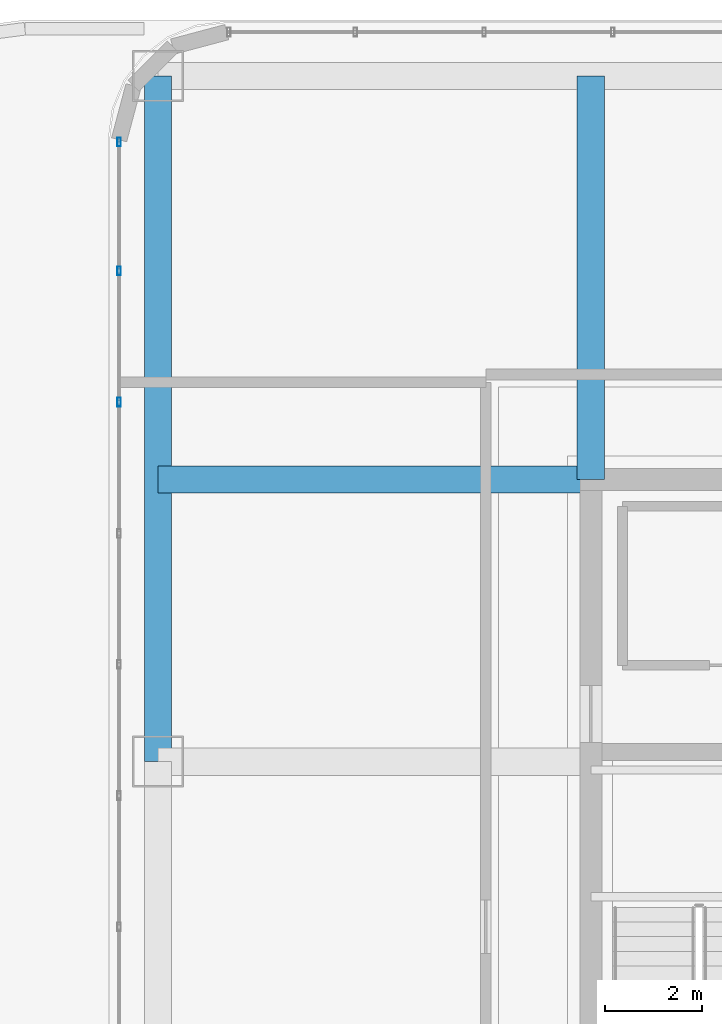
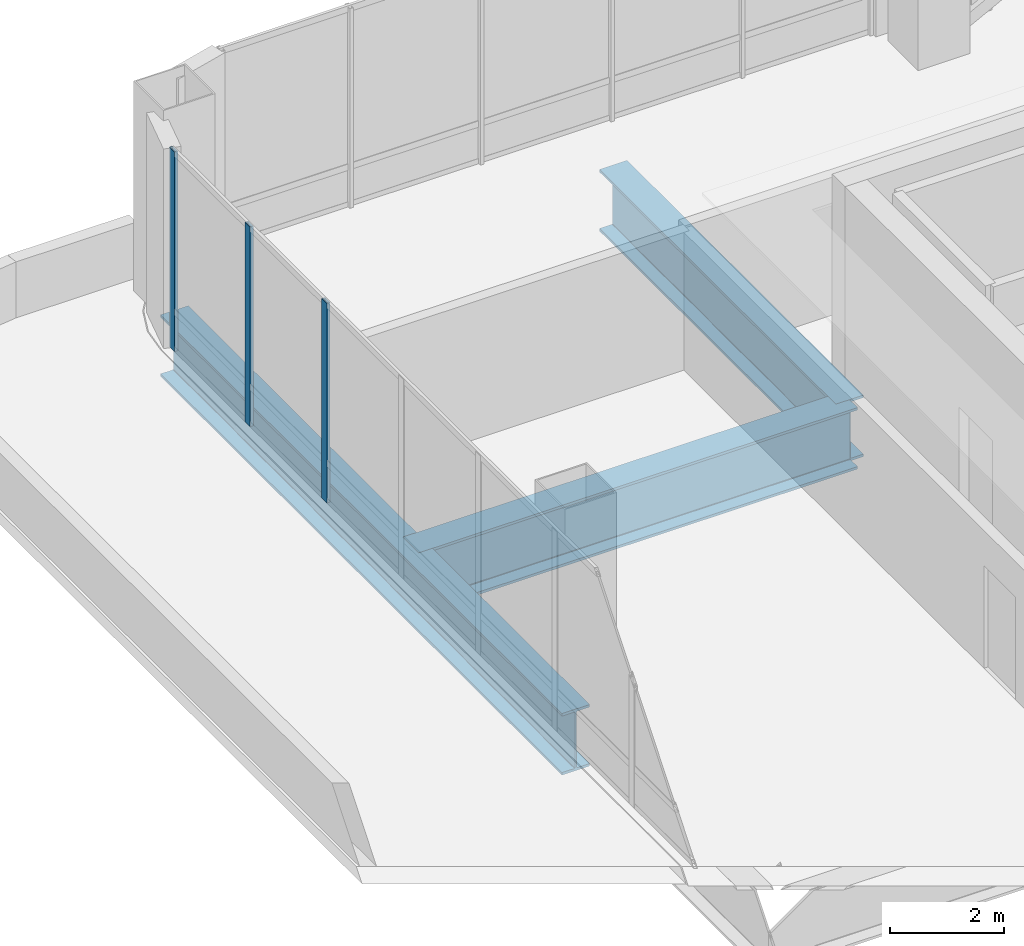
# One storey, part 19 of 33: 3 beams, 3 members, 1 element without a shape of its own.
"""IFC4 building model written with IfcOpenShell, lengths in metres."""

from ifc_helpers import new_model, si_unit, direction, frame, origin, origin_2d, place, context, subcontext, project, spatial, hollow_rectangle, i_section, extrude, material, material_profile, profile_set, type_object, element, aggregate, save


model = new_model("IFC4")

# Units and contexts
model_context = context("Model", 3, precision=1e-05, world=origin(), true_north=direction((0.0, 1.0)))
body_context = subcontext(model_context, "Body", "Model", "MODEL_VIEW")
ifc_project = project(units=[si_unit("LENGTHUNIT", "METRE"), si_unit("AREAUNIT", "SQUARE_METRE"), si_unit("VOLUMEUNIT", "CUBIC_METRE"), si_unit("PLANEANGLEUNIT", "RADIAN"), si_unit("MASSUNIT", "GRAM", prefix="KILO")], contexts=[model_context])

# Site, building, storey
site_placement = place(None, origin())
site = spatial("IfcSite", under=ifc_project, at=site_placement, CompositionType="ELEMENT")
building_placement = place(site_placement, origin())
building = spatial("IfcBuilding", under=site, at=building_placement, Name="Punatoya Terracotta Tower", CompositionType="ELEMENT")
storey_placement = place(building_placement, frame((0.0, 0.0, 343.800048828125)))
storey = spatial("IfcBuildingStorey", under=building, at=storey_placement, Name="L81", CompositionType="ELEMENT", Elevation=343.800048828125)

# Beams
ifc_material_1 = material(Name="Steel S460", Category="steel")
ifc_material_profile_1 = material_profile(ifc_material_1, i_section(OverallWidth=0.56005859375, OverallDepth=1.320068359375, WebThickness=0.035888671875, FlangeThickness=0.054931640625, FilletRadius=0.01806640625, at=origin_2d()))
ifc_profile_set_1 = profile_set([ifc_material_profile_1], Name="Steel S460")
beam_type = type_object("IfcBeamType", Name="BM-TG-BLK", PredefinedType="BEAM", material=ifc_profile_set_1)
beam_1_placement = place(storey_placement, frame((-19.10009765625, 3.39990234375, -0.93994140625), z_axis=(0.0, 1.0, 0.0), x_axis=(-1.0, 0.0, 0.0)))
element("IfcBeam", 1, at=beam_1_placement, inside=storey, type_object=beam_type, Name="BM-L81-RG-W3", PredefinedType="BEAM", context=body_context, shape_type="SweptSolid", body=[
    extrude(i_section(OverallWidth=0.56005859375, OverallDepth=1.320068359375, WebThickness=0.035888671875, FlangeThickness=0.054931640625, FilletRadius=0.01806640625, at=origin_2d()), origin(), (0.0, 0.0, 1.0), 14.10009765625),
])
beam_2_placement = place(storey_placement, frame((-19.10009765625, 9.199951171875, -0.93994140625), z_axis=(1.0, 0.0, 0.0), x_axis=(0.0, 1.0, 0.0)))
element("IfcBeam", 2, at=beam_2_placement, inside=storey, type_object=beam_type, Name="BM-L81-PR-WN", PredefinedType="BEAM", context=body_context, shape_type="SweptSolid", body=[
    extrude(i_section(OverallWidth=0.56005859375, OverallDepth=1.320068359375, WebThickness=0.035888671875, FlangeThickness=0.054931640625, FilletRadius=0.01806640625, at=origin_2d()), origin(), (0.0, 0.0, 1.0), 8.900146484375),
])
beam_3_placement = place(storey_placement, frame((-10.199951171875, 9.199951171875, -0.93994140625), z_axis=(0.0, 1.0, 0.0), x_axis=(-1.0, 0.0, 0.0)))
element("IfcBeam", 3, at=beam_3_placement, inside=storey, type_object=beam_type, Name="BM-L81-PR-N1", PredefinedType="BEAM", context=body_context, shape_type="SweptSolid", body=[
    extrude(i_section(OverallWidth=0.56005859375, OverallDepth=1.320068359375, WebThickness=0.035888671875, FlangeThickness=0.054931640625, FilletRadius=0.01806640625, at=origin_2d()), origin(), (0.0, 0.0, 1.0), 8.300048828125),
])

# Curtain wall, members
ifc_material_2 = material(Name="Aluminium 6063-T6 + Double Low-E Glass", Category="aluminium")
curtain_wall_type = type_object("IfcCurtainWallType", Name="CW-CRN", PredefinedType="NOTDEFINED", material=ifc_material_2)
curtain_wall_placement = place(storey_placement, origin())
curtain_wall = element("IfcCurtainWall", 4, at=curtain_wall_placement, inside=storey, type_object=curtain_wall_type, Name="L81 Curtain Wall CW-L81-W13-1", PredefinedType="NOTDEFINED")
ifc_material_3 = material(Name="Aluminium 6063-T6", Category="aluminium")
ifc_material_profile_2 = material_profile(ifc_material_3, hollow_rectangle(XDim=0.070068359375, YDim=0.179931640625, WallThickness=0.00390625, at=origin_2d()))
ifc_profile_set_2 = profile_set([ifc_material_profile_2], Name="Aluminium 6063-T6")
member_type = type_object("IfcMemberType", Name="CW-MUL-M3", PredefinedType="MULLION", material=ifc_profile_set_2)
member_1_placement = place(storey_placement, frame((-19.89990234375, 16.141845703125, 0.0), z_axis=(0.0, 0.0, 1.0), x_axis=(1.0, 0.0, 0.0)))
member_1 = element("IfcMember", 5, at=member_1_placement, type_object=member_type, Name="CW-L81-W13-1 Mullion 00", PredefinedType="MULLION", context=body_context, shape_type="SweptSolid", body=[
    extrude(hollow_rectangle(XDim=0.070068359375, YDim=0.179931640625, WallThickness=0.00390625, at=origin_2d()), origin(), (0.0, 0.0, 1.0), 4.280029296875),
])
member_2_placement = place(storey_placement, frame((-19.89990234375, 13.489013671875, 0.0), z_axis=(0.0, 0.0, 1.0), x_axis=(1.0, 0.0, 0.0)))
member_2 = element("IfcMember", 6, at=member_2_placement, type_object=member_type, Name="CW-L81-W13-1 Mullion 01", PredefinedType="MULLION", context=body_context, shape_type="SweptSolid", body=[
    extrude(hollow_rectangle(XDim=0.070068359375, YDim=0.179931640625, WallThickness=0.00390625, at=origin_2d()), origin(), (0.0, 0.0, 1.0), 4.280029296875),
])
member_3_placement = place(storey_placement, frame((-19.89990234375, 10.791259765625, 0.0), z_axis=(0.0, 0.0, 1.0), x_axis=(1.0, 0.0, 0.0)))
member_3 = element("IfcMember", 7, at=member_3_placement, type_object=member_type, Name="CW-L81-W13-1 Mullion 02", PredefinedType="MULLION", context=body_context, shape_type="SweptSolid", body=[
    extrude(hollow_rectangle(XDim=0.070068359375, YDim=0.179931640625, WallThickness=0.00390625, at=origin_2d()), origin(), (0.0, 0.0, 1.0), 4.280029296875),
])
aggregate(curtain_wall, [member_1, member_2, member_3])

save(model, "model.ifc")
